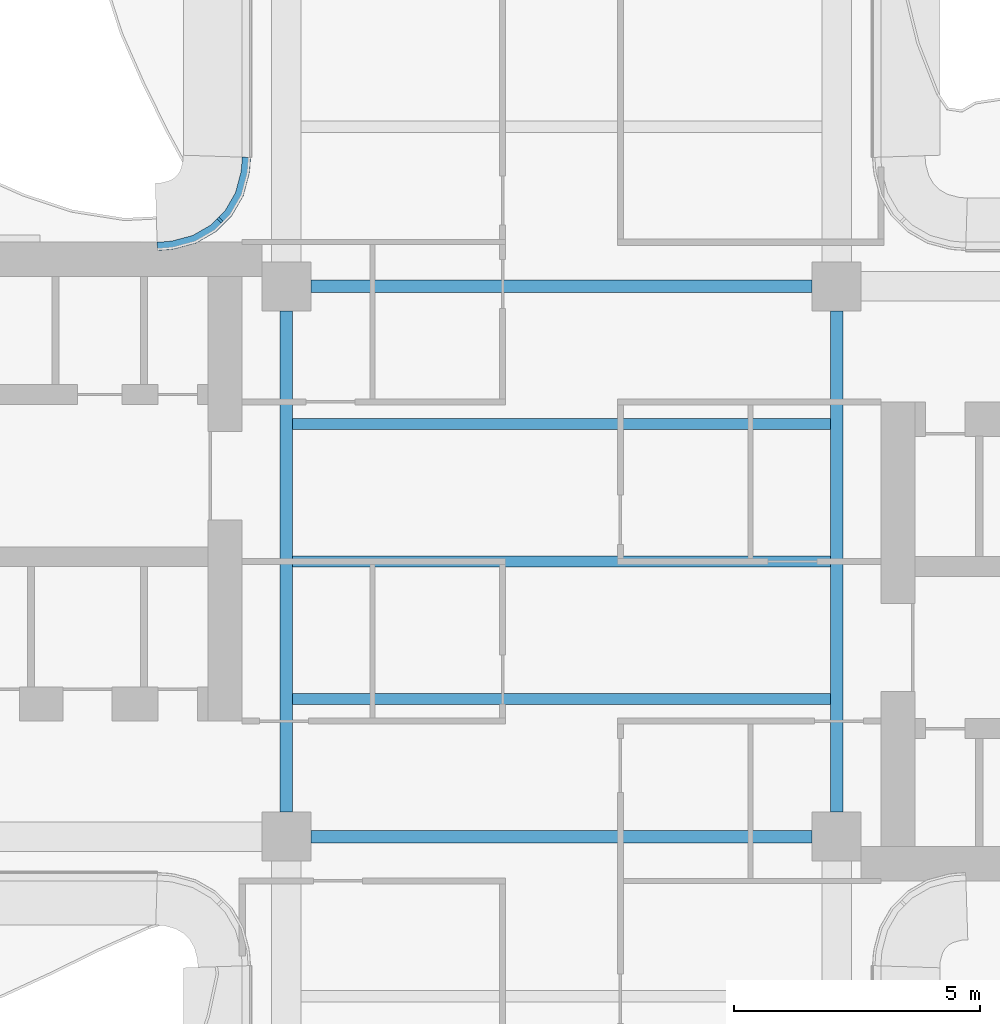
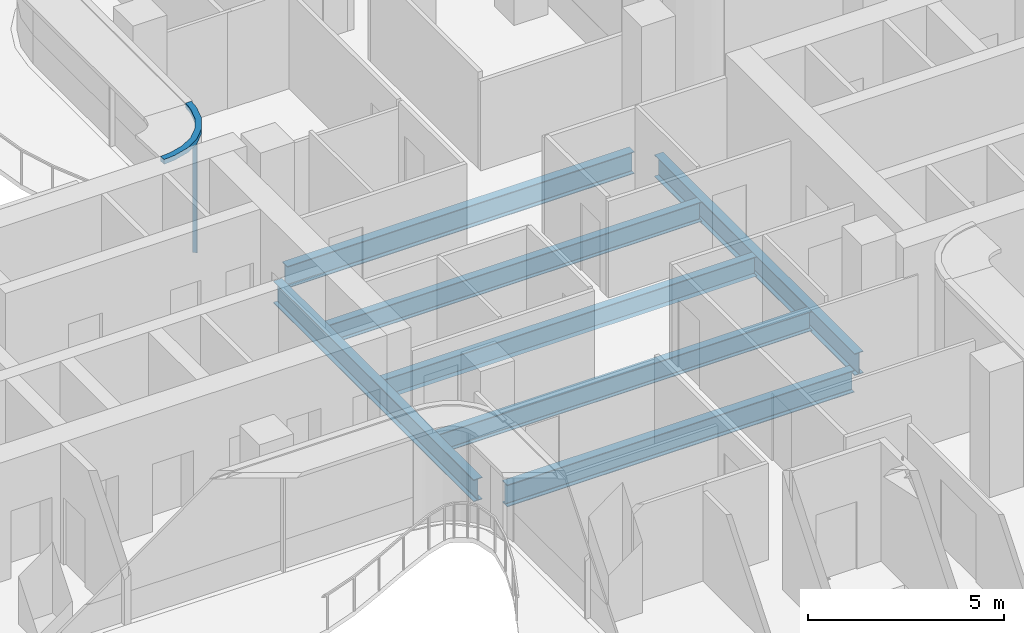
# One storey, part 4 of 16: 7 beams, 2 members, 1 element without a shape of its own.
"""IFC4 building model written with IfcOpenShell, lengths in metres."""

from ifc_helpers import new_model, si_unit, direction, frame, origin, origin_2d, place, context, subcontext, project, spatial, polyline, rectangle, i_section, outline, extrude, source, transform, mapped, material, layer, layer_set, material_profile, profile_set, type_object, element, aggregate, save


model = new_model("IFC4")

# Units and contexts
model_context = context("Model", 3, precision=1e-05, world=origin(), true_north=direction((0.0, 1.0)))
body_context = subcontext(model_context, "Body", "Model", "MODEL_VIEW")
ifc_project = project(units=[si_unit("LENGTHUNIT", "METRE"), si_unit("AREAUNIT", "SQUARE_METRE"), si_unit("VOLUMEUNIT", "CUBIC_METRE"), si_unit("PLANEANGLEUNIT", "RADIAN"), si_unit("MASSUNIT", "GRAM", prefix="KILO")], contexts=[model_context])

# Site, building, storey
site_placement = place(None, origin())
site = spatial("IfcSite", under=ifc_project, at=site_placement, CompositionType="ELEMENT")
building_placement = place(site_placement, origin())
building = spatial("IfcBuilding", under=site, at=building_placement, Name="Trellis Farm Tower", CompositionType="ELEMENT")
storey_placement = place(building_placement, frame((0.0, 0.0, 306.699951171875)))
storey = spatial("IfcBuildingStorey", under=building, at=storey_placement, Name="L69", CompositionType="ELEMENT", Elevation=306.699951171875)

# Beams
ifc_material_1 = material(Name="Steel S355", Category="steel")
ifc_material_profile_1 = material_profile(ifc_material_1, i_section(OverallWidth=0.22900390625, OverallDepth=0.6123046875, WebThickness=0.011962890625, FlangeThickness=0.01953125, FilletRadius=0.0126953125, at=origin_2d()), Name="UB 610x229x125")
ifc_profile_set_1 = profile_set([ifc_material_profile_1], Name="Steel S355")
beam_type_1 = type_object("IfcBeamType", Name="UB 610x229x125 joist", PredefinedType="JOIST", material=ifc_profile_set_1)
shared_shape_1 = source(origin(), body_context, "Body", "SweptSolid", [
    extrude(i_section(OverallWidth=0.22900390625, OverallDepth=0.6123046875, WebThickness=0.011962890625, FlangeThickness=0.01953125, FilletRadius=0.0126953125, at=origin_2d()), origin(), (0.0, 0.0, 1.0), 10.9462890625),
])
for number, where, z_axis, x_axis, name in (
    (1, (-5.47314453125, -2.800048828125, -0.506103515625), (1.0, 0.0, 0.0), (0.0, 1.0, 0.0), "Floor beam"),
    (2, (-5.47314453125, 0.0, -0.506103515625), (1.0, 0.0, 0.0), (0.0, 1.0, 0.0), "Floor beam"),
    (3, (-5.47314453125, 2.800048828125, -0.506103515625), (1.0, 0.0, 0.0), (0.0, 1.0, 0.0), "Floor beam"),
):
    element("IfcBeam", number, at=place(storey_placement, frame(where, z_axis=z_axis, x_axis=x_axis)), inside=storey, type_object=beam_type_1, Name=name, PredefinedType="JOIST", context=body_context, shape_type="MappedRepresentation", body=[
        mapped(shared_shape_1, transform((0.0, 0.0, 0.0))),
    ])
ifc_material_profile_2 = material_profile(ifc_material_1, i_section(OverallWidth=0.253662109375, OverallDepth=0.68359375, WebThickness=0.012451171875, FlangeThickness=0.021728515625, FilletRadius=0.01513671875, at=origin_2d()), Name="UB 686x254x140")
ifc_profile_set_2 = profile_set([ifc_material_profile_2], Name="Steel S355")
beam_type_2 = type_object("IfcBeamType", Name="UB 686x254x140", PredefinedType="BEAM", material=ifc_profile_set_2)
shared_shape_2 = source(origin(), body_context, "Body", "SweptSolid", [
    extrude(i_section(OverallWidth=0.253662109375, OverallDepth=0.68359375, WebThickness=0.012451171875, FlangeThickness=0.021728515625, FilletRadius=0.01513671875, at=origin_2d()), origin(), (0.0, 0.0, 1.0), 10.2001953125),
])
for number, where, z_axis, x_axis, name in (
    (4, (-5.10009765625, -5.60009765625, -0.541748046875), (1.0, 0.0, 0.0), (0.0, 1.0, 0.0), "Girder"),
    (5, (-5.10009765625, 5.60009765625, -0.541748046875), (1.0, 0.0, 0.0), (0.0, 1.0, 0.0), "Girder"),
    (6, (-5.60009765625, -5.10009765625, -0.541748046875), (0.0, 1.0, 0.0), (-1.0, 0.0, 0.0), "Girder"),
    (7, (5.60009765625, -5.10009765625, -0.541748046875), (0.0, 1.0, 0.0), (-1.0, 0.0, 0.0), "Girder"),
):
    element("IfcBeam", number, at=place(storey_placement, frame(where, z_axis=z_axis, x_axis=x_axis)), inside=storey, type_object=beam_type_2, Name=name, PredefinedType="BEAM", context=body_context, shape_type="MappedRepresentation", body=[
        mapped(shared_shape_2, transform((0.0, 0.0, 0.0))),
    ])

# Curtain wall, members
ifc_material_2 = material(Name="Aluminium and glass curtain wall", Category="aluminium")
ifc_layer_1 = layer(ifc_material_2, 0.166015625)
ifc_layer_set_1 = layer_set([ifc_layer_1], Name="WINTER GARDEN CURTAIN WALL CW3")
curtain_wall_type = type_object("IfcCurtainWallType", Name="WINTER GARDEN CURTAIN WALL CW3", PredefinedType="NOTDEFINED", material=ifc_layer_set_1)
curtain_wall_placement = place(storey_placement, origin())
curtain_wall = element("IfcCurtainWall", 8, at=curtain_wall_placement, inside=storey, type_object=curtain_wall_type, Name="CW3 004", PredefinedType="NOTDEFINED")
ifc_material_3 = material(Name="Aluminium extrusion 6063-T6", Category="aluminium")
ifc_layer_2 = layer(ifc_material_3, 0.169921875)
ifc_layer_set_2 = layer_set([ifc_layer_2], Name="Aluminium extrusion 6063-T6")
member_type_1 = type_object("IfcMemberType", Name="CW3 TRANSOM 170x150", PredefinedType="USERDEFINED", material=ifc_layer_set_2)
shared_shape_3 = source(origin(), body_context, "Body", "SweptSolid", [
    extrude(outline(polyline([(-6.5, 8.2314453125), (-6.513916015625, 8.01953125), (-6.527587890625, 7.91552734375), (-6.63671875, 7.508544921875), (-6.846923828125, 7.144287109375), (-7.144287109375, 6.846923828125), (-7.508544921875, 6.63671875), (-7.91552734375, 6.527587890625), (-8.01953125, 6.513916015625), (-8.2314453125, 6.5), (-8.225830078125, 6.330078125), (-8.0029296875, 6.3447265625), (-7.88232421875, 6.360595703125), (-7.44287109375, 6.478271484375), (-7.0400390625, 6.7109375), (-6.7109375, 7.0400390625), (-6.478271484375, 7.44287109375), (-6.360595703125, 7.88232421875), (-6.3447265625, 8.0029296875), (-6.330078125, 8.225830078125), (-6.5, 8.2314453125)])), origin(), (0.0, 0.0, 1.0), 0.14990234375),
])
member_1_placement = place(storey_placement, frame((0.0, 0.0, 3.550048828125)))
member_1 = element("IfcMember", 9, at=member_1_placement, type_object=member_type_1, Name="TR3 004", ObjectType="TRANSOM", PredefinedType="USERDEFINED", context=body_context, shape_type="MappedRepresentation", body=[
    mapped(shared_shape_3, transform((0.0, 0.0, 0.0))),
])
ifc_material_profile_3 = material_profile(ifc_material_3, rectangle(XDim=0.050048828125, YDim=0.1201171875, at=origin_2d()), Name="MULLION 50x120")
ifc_profile_set_3 = profile_set([ifc_material_profile_3], Name="Aluminium extrusion 6063-T6")
member_type_2 = type_object("IfcMemberType", Name="CW3 MULLION 50x120", PredefinedType="MULLION", material=ifc_profile_set_3)
shared_shape_4 = source(origin(), body_context, "Body", "SweptSolid", [
    extrude(rectangle(XDim=0.050048828125, YDim=0.1201171875, at=origin_2d()), origin(), (0.0, 0.0, 1.0), 3.550048828125),
])
member_2_placement = place(storey_placement, frame((-6.953125, 6.953125, 0.0), z_axis=(0.0, 0.0, 1.0), x_axis=(-0.707106781187, -0.707106781187, 0.0)))
member_2 = element("IfcMember", 10, at=member_2_placement, type_object=member_type_2, Name="MU3 004-01", PredefinedType="MULLION", context=body_context, shape_type="MappedRepresentation", body=[
    mapped(shared_shape_4, transform((0.0, 0.0, 0.0))),
])
aggregate(curtain_wall, [member_2, member_1])

save(model, "model.ifc")
